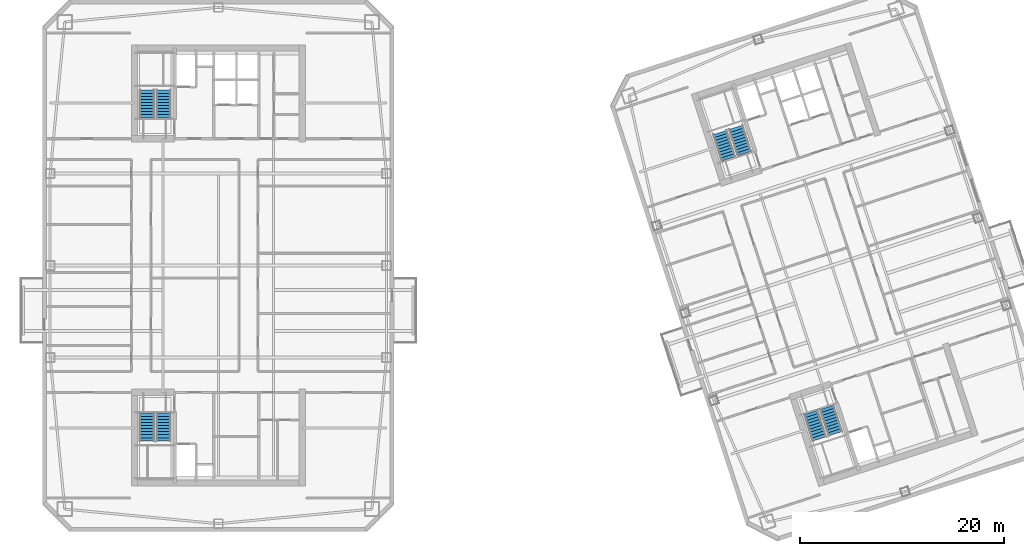
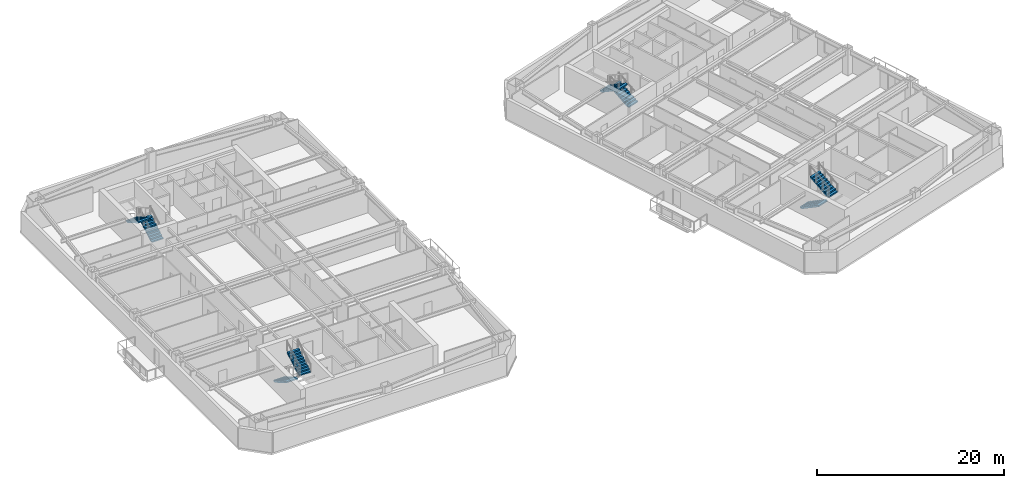
# One storey, part 11 of 15: 8 stair flights, 4 elements without a shape of their own.
"""IFC4 building model written with IfcOpenShell, lengths in metres."""

from ifc_helpers import new_model, si_unit, direction, frame, origin, place, context, subcontext, project, spatial, polyline, outline, extrude, material, type_object, element, aggregate, save


model = new_model("IFC4")

# Units and contexts
model_context = context("Model", 3, precision=1e-05, world=origin(), true_north=direction((0.0, 1.0)))
body_context = subcontext(model_context, "Body", "Model", "MODEL_VIEW")
ifc_project = project(units=[si_unit("LENGTHUNIT", "METRE"), si_unit("AREAUNIT", "SQUARE_METRE"), si_unit("VOLUMEUNIT", "CUBIC_METRE"), si_unit("PLANEANGLEUNIT", "RADIAN"), si_unit("MASSUNIT", "GRAM", prefix="KILO")], contexts=[model_context])

# Site, building, storey
site_placement = place(None, origin())
site = spatial("IfcSite", under=ifc_project, at=site_placement, CompositionType="ELEMENT")
building_placement = place(site_placement, origin())
building = spatial("IfcBuilding", under=site, at=building_placement, Name="Qiaolan Cultural Towers", CompositionType="ELEMENT")
storey_placement = place(building_placement, frame((0.0, 0.0, 166.75)))
storey = spatial("IfcBuildingStorey", under=building, at=storey_placement, Name="L44", CompositionType="ELEMENT", Elevation=166.75)

# Stair, stair flights
ifc_material_1 = material(Name="Concrete C45", Category="concrete")
stair_type = type_object("IfcStairType", Name="STR-CORE-1500", PredefinedType="HALF_TURN_STAIR", material=ifc_material_1)
stair_1_placement = place(storey_placement, origin())
stair_1 = element("IfcStair", 1, at=stair_1_placement, inside=storey, type_object=stair_type, Name="L44 Smokeproof Exit Stair ST-W1", PredefinedType="HALF_TURN_STAIR")
ifc_material_2 = material(Name="Concrete C45", Category="concrete")
stair_flight_type = type_object("IfcStairFlightType", Name="STR-CORE-1500-FL", PredefinedType="STRAIGHT", material=ifc_material_2)
stair_flight_1_placement = place(storey_placement, frame((23.02001953125, 19.550048828125, 0.0), z_axis=(0.0, 0.0, 1.0), x_axis=(0.0, -1.0, 0.0)))
stair_flight_1 = element("IfcStairFlight", 2, at=stair_flight_1_placement, type_object=stair_flight_type, Name="ST-W1 flight 1", NumberOfRisers=10, NumberOfTreads=9, PredefinedType="STRAIGHT", RiserHeight=0.1725, TreadLength=0.3, context=body_context, shape_type="SweptSolid", body=[
    extrude(outline(polyline([(0.0, 0.0), (0.0, 0.172607421875), (0.300048828125, 0.172607421875), (0.300048828125, 0.344970703125), (0.60009765625, 0.344970703125), (0.60009765625, 0.517578125), (0.89990234375, 0.517578125), (0.89990234375, 0.68994140625), (1.199951171875, 0.68994140625), (1.199951171875, 0.862548828125), (1.5, 0.862548828125), (1.5, 1.034912109375), (1.800048828125, 1.034912109375), (1.800048828125, 1.20751953125), (2.10009765625, 1.20751953125), (2.10009765625, 1.3798828125), (2.39990234375, 1.3798828125), (2.39990234375, 1.552490234375), (2.699951171875, 1.552490234375), (2.699951171875, 1.72509765625), (2.699951171875, 1.379638671875), (0.30078125, 0.0), (0.0, 0.0)])), frame((0.0, 0.719970703125, 0.0), z_axis=(0.0, -1.0, 0.0), x_axis=(1.0, 0.0, 0.0)), (0.0, 0.0, 1.0), 1.43994140625),
])
stair_flight_2_placement = place(storey_placement, frame((24.659912109375, 16.85009765625, 1.72509765625), z_axis=(0.0, 0.0, 1.0), x_axis=(0.0, 1.0, 0.0)))
stair_flight_2 = element("IfcStairFlight", 3, at=stair_flight_2_placement, type_object=stair_flight_type, Name="ST-W1 flight 2", NumberOfRisers=10, NumberOfTreads=9, PredefinedType="STRAIGHT", RiserHeight=0.1725, TreadLength=0.3, context=body_context, shape_type="SweptSolid", body=[
    extrude(outline(polyline([(0.0, 0.0), (0.0, 0.172607421875), (0.300048828125, 0.172607421875), (0.300048828125, 0.344970703125), (0.60009765625, 0.344970703125), (0.60009765625, 0.517578125), (0.89990234375, 0.517578125), (0.89990234375, 0.68994140625), (1.199951171875, 0.68994140625), (1.199951171875, 0.862548828125), (1.5, 0.862548828125), (1.5, 1.034912109375), (1.800048828125, 1.034912109375), (1.800048828125, 1.20751953125), (2.10009765625, 1.20751953125), (2.10009765625, 1.3798828125), (2.39990234375, 1.3798828125), (2.39990234375, 1.552490234375), (2.699951171875, 1.552490234375), (2.699951171875, 1.72509765625), (2.699951171875, 1.379638671875), (0.30078125, 0.0), (0.0, 0.0)])), frame((0.0, 0.719970703125, 0.0), z_axis=(0.0, -1.0, 0.0), x_axis=(1.0, 0.0, 0.0)), (0.0, 0.0, 1.0), 1.43994140625),
])
aggregate(stair_1, [stair_flight_1, stair_flight_2])

stair_2_placement = place(storey_placement, origin())
stair_2 = element("IfcStair", 4, at=stair_2_placement, inside=storey, type_object=stair_type, Name="L44 Smokeproof Exit Stair ST-W2", PredefinedType="HALF_TURN_STAIR")
stair_flight_3_placement = place(storey_placement, frame((24.659912109375, 48.449951171875, 0.0), z_axis=(0.0, 0.0, 1.0), x_axis=(0.0, 1.0, 0.0)))
stair_flight_3 = element("IfcStairFlight", 5, at=stair_flight_3_placement, type_object=stair_flight_type, Name="ST-W2 flight 1", NumberOfRisers=10, NumberOfTreads=9, PredefinedType="STRAIGHT", RiserHeight=0.1725, TreadLength=0.3, context=body_context, shape_type="SweptSolid", body=[
    extrude(outline(polyline([(0.0, 0.0), (0.0, 0.172607421875), (0.300048828125, 0.172607421875), (0.300048828125, 0.344970703125), (0.60009765625, 0.344970703125), (0.60009765625, 0.517578125), (0.89990234375, 0.517578125), (0.89990234375, 0.68994140625), (1.199951171875, 0.68994140625), (1.199951171875, 0.862548828125), (1.5, 0.862548828125), (1.5, 1.034912109375), (1.800048828125, 1.034912109375), (1.800048828125, 1.20751953125), (2.10009765625, 1.20751953125), (2.10009765625, 1.3798828125), (2.39990234375, 1.3798828125), (2.39990234375, 1.552490234375), (2.699951171875, 1.552490234375), (2.699951171875, 1.72509765625), (2.699951171875, 1.379638671875), (0.30078125, 0.0), (0.0, 0.0)])), frame((0.0, 0.719970703125, 0.0), z_axis=(0.0, -1.0, 0.0), x_axis=(1.0, 0.0, 0.0)), (0.0, 0.0, 1.0), 1.43994140625),
])
stair_flight_4_placement = place(storey_placement, frame((23.02001953125, 51.14990234375, 1.72509765625), z_axis=(0.0, 0.0, 1.0), x_axis=(0.0, -1.0, 0.0)))
stair_flight_4 = element("IfcStairFlight", 6, at=stair_flight_4_placement, type_object=stair_flight_type, Name="ST-W2 flight 2", NumberOfRisers=10, NumberOfTreads=9, PredefinedType="STRAIGHT", RiserHeight=0.1725, TreadLength=0.3, context=body_context, shape_type="SweptSolid", body=[
    extrude(outline(polyline([(0.0, 0.0), (0.0, 0.172607421875), (0.300048828125, 0.172607421875), (0.300048828125, 0.344970703125), (0.60009765625, 0.344970703125), (0.60009765625, 0.517578125), (0.89990234375, 0.517578125), (0.89990234375, 0.68994140625), (1.199951171875, 0.68994140625), (1.199951171875, 0.862548828125), (1.5, 0.862548828125), (1.5, 1.034912109375), (1.800048828125, 1.034912109375), (1.800048828125, 1.20751953125), (2.10009765625, 1.20751953125), (2.10009765625, 1.3798828125), (2.39990234375, 1.3798828125), (2.39990234375, 1.552490234375), (2.699951171875, 1.552490234375), (2.699951171875, 1.72509765625), (2.699951171875, 1.379638671875), (0.30078125, 0.0), (0.0, 0.0)])), frame((0.0, 0.719970703125, 0.0), z_axis=(0.0, -1.0, 0.0), x_axis=(1.0, 0.0, 0.0)), (0.0, 0.0, 1.0), 1.43994140625),
])
aggregate(stair_2, [stair_flight_3, stair_flight_4])

stair_3_placement = place(storey_placement, origin())
stair_3 = element("IfcStair", 7, at=stair_3_placement, inside=storey, type_object=stair_type, Name="L44 Smokeproof Exit Stair ST-E1", PredefinedType="HALF_TURN_STAIR")
stair_flight_5_placement = place(storey_placement, frame((87.96484375, 19.6171875, 0.0), z_axis=(0.0, 0.0, 1.0), x_axis=(0.309016994375, -0.951056516295, 0.0)))
stair_flight_5 = element("IfcStairFlight", 8, at=stair_flight_5_placement, type_object=stair_flight_type, Name="ST-E1 flight 1", NumberOfRisers=10, NumberOfTreads=9, PredefinedType="STRAIGHT", RiserHeight=0.1725, TreadLength=0.3, context=body_context, shape_type="SweptSolid", body=[
    extrude(outline(polyline([(0.0, 0.0), (0.0, 0.172607421875), (0.300048828125, 0.172607421875), (0.300048828125, 0.344970703125), (0.60009765625, 0.344970703125), (0.60009765625, 0.517578125), (0.89990234375, 0.517578125), (0.89990234375, 0.68994140625), (1.199951171875, 0.68994140625), (1.199951171875, 0.862548828125), (1.5, 0.862548828125), (1.5, 1.034912109375), (1.800048828125, 1.034912109375), (1.800048828125, 1.20751953125), (2.10009765625, 1.20751953125), (2.10009765625, 1.3798828125), (2.39990234375, 1.3798828125), (2.39990234375, 1.552490234375), (2.699951171875, 1.552490234375), (2.699951171875, 1.72509765625), (2.699951171875, 1.379638671875), (0.30078125, 0.0), (0.0, 0.0)])), frame((0.0, 0.719970703125, 0.0), z_axis=(0.0, -1.0, 0.0), x_axis=(1.0, 0.0, 0.0)), (0.0, 0.0, 1.0), 1.43994140625),
])
stair_flight_6_placement = place(storey_placement, frame((90.359130859375, 17.55615234375, 1.72509765625), z_axis=(0.0, 0.0, 1.0), x_axis=(-0.309016994375, 0.951056516295, 0.0)))
stair_flight_6 = element("IfcStairFlight", 9, at=stair_flight_6_placement, type_object=stair_flight_type, Name="ST-E1 flight 2", NumberOfRisers=10, NumberOfTreads=9, PredefinedType="STRAIGHT", RiserHeight=0.1725, TreadLength=0.3, context=body_context, shape_type="SweptSolid", body=[
    extrude(outline(polyline([(0.0, 0.0), (0.0, 0.172607421875), (0.300048828125, 0.172607421875), (0.300048828125, 0.344970703125), (0.60009765625, 0.344970703125), (0.60009765625, 0.517578125), (0.89990234375, 0.517578125), (0.89990234375, 0.68994140625), (1.199951171875, 0.68994140625), (1.199951171875, 0.862548828125), (1.5, 0.862548828125), (1.5, 1.034912109375), (1.800048828125, 1.034912109375), (1.800048828125, 1.20751953125), (2.10009765625, 1.20751953125), (2.10009765625, 1.3798828125), (2.39990234375, 1.3798828125), (2.39990234375, 1.552490234375), (2.699951171875, 1.552490234375), (2.699951171875, 1.72509765625), (2.699951171875, 1.379638671875), (0.30078125, 0.0), (0.0, 0.0)])), frame((0.0, 0.719970703125, 0.0), z_axis=(0.0, -1.0, 0.0), x_axis=(1.0, 0.0, 0.0)), (0.0, 0.0, 1.0), 1.43994140625),
])
aggregate(stair_3, [stair_flight_5, stair_flight_6])

stair_4_placement = place(storey_placement, origin())
stair_4 = element("IfcStair", 10, at=stair_4_placement, inside=storey, type_object=stair_type, Name="L44 Smokeproof Exit Stair ST-E2", PredefinedType="HALF_TURN_STAIR")
stair_flight_7_placement = place(storey_placement, frame((81.459228515625, 44.946533203125, 0.0), z_axis=(0.0, 0.0, 1.0), x_axis=(-0.309016994375, 0.951056516295, 0.0)))
stair_flight_7 = element("IfcStairFlight", 11, at=stair_flight_7_placement, type_object=stair_flight_type, Name="ST-E2 flight 1", NumberOfRisers=10, NumberOfTreads=9, PredefinedType="STRAIGHT", RiserHeight=0.1725, TreadLength=0.3, context=body_context, shape_type="SweptSolid", body=[
    extrude(outline(polyline([(0.0, 0.0), (0.0, 0.172607421875), (0.300048828125, 0.172607421875), (0.300048828125, 0.344970703125), (0.60009765625, 0.344970703125), (0.60009765625, 0.517578125), (0.89990234375, 0.517578125), (0.89990234375, 0.68994140625), (1.199951171875, 0.68994140625), (1.199951171875, 0.862548828125), (1.5, 0.862548828125), (1.5, 1.034912109375), (1.800048828125, 1.034912109375), (1.800048828125, 1.20751953125), (2.10009765625, 1.20751953125), (2.10009765625, 1.3798828125), (2.39990234375, 1.3798828125), (2.39990234375, 1.552490234375), (2.699951171875, 1.552490234375), (2.699951171875, 1.72509765625), (2.699951171875, 1.379638671875), (0.30078125, 0.0), (0.0, 0.0)])), frame((0.0, 0.719970703125, 0.0), z_axis=(0.0, -1.0, 0.0), x_axis=(1.0, 0.0, 0.0)), (0.0, 0.0, 1.0), 1.43994140625),
])
stair_flight_8_placement = place(storey_placement, frame((79.065185546875, 47.007568359375, 1.72509765625), z_axis=(0.0, 0.0, 1.0), x_axis=(0.309016994375, -0.951056516295, 0.0)))
stair_flight_8 = element("IfcStairFlight", 12, at=stair_flight_8_placement, type_object=stair_flight_type, Name="ST-E2 flight 2", NumberOfRisers=10, NumberOfTreads=9, PredefinedType="STRAIGHT", RiserHeight=0.1725, TreadLength=0.3, context=body_context, shape_type="SweptSolid", body=[
    extrude(outline(polyline([(0.0, 0.0), (0.0, 0.172607421875), (0.300048828125, 0.172607421875), (0.300048828125, 0.344970703125), (0.60009765625, 0.344970703125), (0.60009765625, 0.517578125), (0.89990234375, 0.517578125), (0.89990234375, 0.68994140625), (1.199951171875, 0.68994140625), (1.199951171875, 0.862548828125), (1.5, 0.862548828125), (1.5, 1.034912109375), (1.800048828125, 1.034912109375), (1.800048828125, 1.20751953125), (2.10009765625, 1.20751953125), (2.10009765625, 1.3798828125), (2.39990234375, 1.3798828125), (2.39990234375, 1.552490234375), (2.699951171875, 1.552490234375), (2.699951171875, 1.72509765625), (2.699951171875, 1.379638671875), (0.30078125, 0.0), (0.0, 0.0)])), frame((0.0, 0.719970703125, 0.0), z_axis=(0.0, -1.0, 0.0), x_axis=(1.0, 0.0, 0.0)), (0.0, 0.0, 1.0), 1.43994140625),
])
aggregate(stair_4, [stair_flight_7, stair_flight_8])

save(model, "model.ifc")
